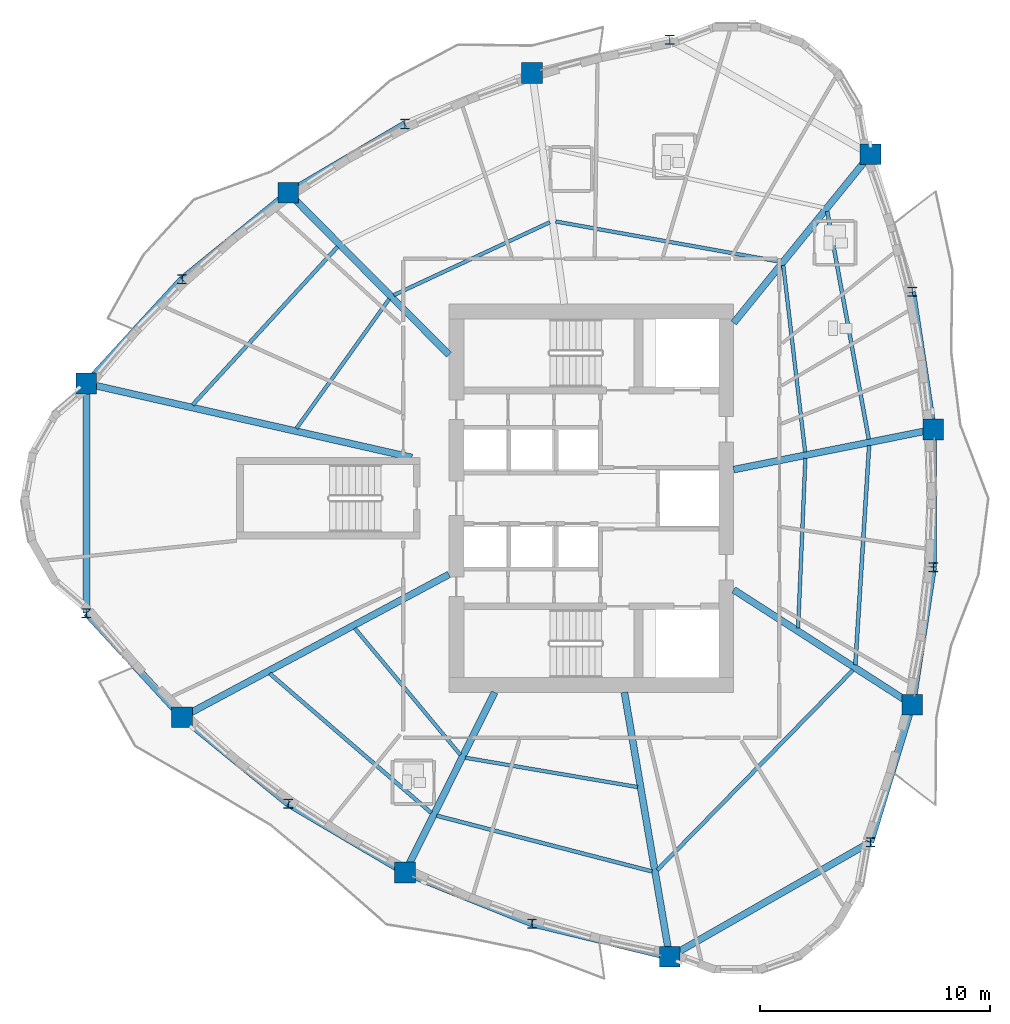
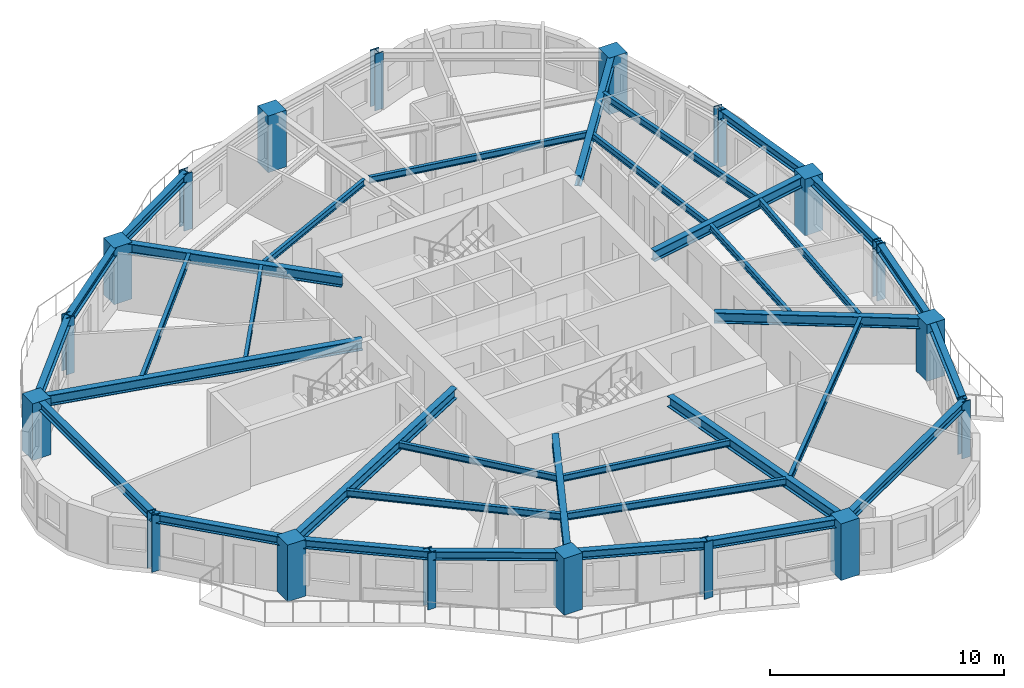
# One storey, part 1 of 12: 35 beams, 18 columns.
"""IFC4 building model written with IfcOpenShell, lengths in metres."""

from ifc_helpers import new_model, si_unit, direction, frame, origin, origin_2d, place, context, subcontext, project, spatial, rectangle, i_section, extrude, source, transform, mapped, material, material_profile, profile_set, type_object, element, save


model = new_model("IFC4")

# Units and contexts
model_context = context("Model", 3, precision=1e-05, world=origin(), true_north=direction((0.0, 1.0)))
body_context = subcontext(model_context, "Body", "Model", "MODEL_VIEW")
ifc_project = project(units=[si_unit("LENGTHUNIT", "METRE"), si_unit("AREAUNIT", "SQUARE_METRE"), si_unit("VOLUMEUNIT", "CUBIC_METRE"), si_unit("PLANEANGLEUNIT", "RADIAN"), si_unit("MASSUNIT", "GRAM", prefix="KILO")], contexts=[model_context])

# Site, building, storey
site_placement = place(None, origin())
site = spatial("IfcSite", under=ifc_project, at=site_placement, CompositionType="ELEMENT")
building_placement = place(site_placement, origin())
building = spatial("IfcBuilding", under=site, at=building_placement, Name="Qafzar Sky-Pleat Residences", CompositionType="ELEMENT")
storey_placement = place(building_placement, frame((0.0, 0.0, 96.0)))
storey = spatial("IfcBuildingStorey", under=building, at=storey_placement, Name="L28", CompositionType="ELEMENT", Elevation=96.0)

# Columns
ifc_material_1 = material(Name="Concrete C60/75", Category="concrete")
ifc_material_profile_1 = material_profile(ifc_material_1, rectangle(XDim=0.89990234375, YDim=0.89990234375, at=origin_2d()), Name="RC 900x900")
ifc_profile_set_1 = profile_set([ifc_material_profile_1], Name="Concrete C60/75")
column_type_1 = type_object("IfcColumnType", Name="COL-RC-900", PredefinedType="COLUMN", material=ifc_profile_set_1)
shared_shape_1 = source(origin(), body_context, "Body", "SweptSolid", [
    extrude(rectangle(XDim=0.89990234375, YDim=0.89990234375, at=origin_2d()), origin(), (0.0, 0.0, 1.0), 2.949951171875),
])
for number, where, z_axis, x_axis, name in (
    (1, (8.364990234375, 30.996337890625, 0.0), (0.0, 0.0, 1.0), (1.0, 0.0, 0.0), "L28 Perimeter Mega Column 1"),
    (2, (12.53369140625, 16.46533203125, 0.0), (0.0, 0.0, 1.0), (1.0, 0.0, 0.0), "L28 Perimeter Mega Column 3"),
    (3, (22.236328125, 9.705078125, 0.0), (0.0, 0.0, 1.0), (1.0, 0.0, 0.0), "L28 Perimeter Mega Column 5"),
    (4, (33.759521484375, 6.032470703125, 0.0), (0.0, 0.0, 1.0), (1.0, 0.0, 0.0), "L28 Perimeter Mega Column 7"),
    (5, (44.325439453125, 17.017333984375, 0.0), (0.0, 0.0, 1.0), (1.0, 0.0, 0.0), "L28 Perimeter Mega Column 9"),
    (6, (45.235595703125, 28.994140625, 0.0), (0.0, 0.0, 1.0), (1.0, 0.0, 0.0), "L28 Perimeter Mega Column 11"),
    (7, (42.5048828125, 40.97119140625, 0.0), (0.0, 0.0, 1.0), (1.0, 0.0, 0.0), "L28 Perimeter Mega Column 13"),
    (8, (27.770263671875, 44.517333984375, 0.0), (0.0, 0.0, 1.0), (1.0, 0.0, 0.0), "L28 Perimeter Mega Column 15"),
    (9, (17.157470703125, 39.30078125, 0.0), (0.0, 0.0, 1.0), (1.0, 0.0, 0.0), "L28 Perimeter Mega Column 17"),
):
    element("IfcColumn", number, at=place(storey_placement, frame(where, z_axis=z_axis, x_axis=x_axis)), inside=storey, type_object=column_type_1, Name=name, PredefinedType="COLUMN", context=body_context, shape_type="MappedRepresentation", body=[
        mapped(shared_shape_1, transform((0.0, 0.0, 0.0), x_axis=(1.0, 0.0, 0.0), y_axis=(0.0, 1.0, 0.0), z_axis=(0.0, 0.0, 1.0), scale=1.0)),
    ])
ifc_material_2 = material(Name="Steel S460", Category="steel")
ifc_material_profile_2 = material_profile(ifc_material_2, i_section(OverallWidth=0.406005859375, OverallDepth=0.416015625, WebThickness=0.027099609375, FlangeThickness=0.0439453125, FilletRadius=0.014892578125, at=origin_2d()), Name="HD 400x382")
ifc_profile_set_2 = profile_set([ifc_material_profile_2], Name="Steel S460")
column_type_2 = type_object("IfcColumnType", Name="COL-STL-HD382", PredefinedType="PILASTER", material=ifc_profile_set_2)
shared_shape_2 = source(origin(), body_context, "Body", "SweptSolid", [
    extrude(i_section(OverallWidth=0.406005859375, OverallDepth=0.416015625, WebThickness=0.027099609375, FlangeThickness=0.0439453125, FilletRadius=0.014892578125, at=origin_2d()), origin(), (0.0, 0.0, 1.0), 2.949951171875),
])
for number, where, z_axis, x_axis, name in (
    (10, (8.364990234375, 21.003662109375, 0.0), (0.0, 0.0, 1.0), (1.0, 0.0, 0.0), "L28 Perimeter Mega Column 2"),
    (11, (17.157470703125, 12.69921875, 0.0), (0.0, 0.0, 1.0), (1.0, 0.0, 0.0), "L28 Perimeter Mega Column 4"),
    (12, (27.770263671875, 7.482666015625, 0.0), (0.0, 0.0, 1.0), (1.0, 0.0, 0.0), "L28 Perimeter Mega Column 6"),
    (13, (42.5048828125, 11.02880859375, 0.0), (0.0, 0.0, 1.0), (1.0, 0.0, 0.0), "L28 Perimeter Mega Column 8"),
    (14, (45.235595703125, 23.005859375, 0.0), (0.0, 0.0, 1.0), (1.0, 0.0, 0.0), "L28 Perimeter Mega Column 10"),
    (15, (44.325439453125, 34.982666015625, 0.0), (0.0, 0.0, 1.0), (1.0, 0.0, 0.0), "L28 Perimeter Mega Column 12"),
    (16, (33.759521484375, 45.967529296875, 0.0), (0.0, 0.0, 1.0), (1.0, 0.0, 0.0), "L28 Perimeter Mega Column 14"),
    (17, (22.236328125, 42.294921875, 0.0), (0.0, 0.0, 1.0), (1.0, 0.0, 0.0), "L28 Perimeter Mega Column 16"),
    (18, (12.53369140625, 35.53466796875, 0.0), (0.0, 0.0, 1.0), (1.0, 0.0, 0.0), "L28 Perimeter Mega Column 18"),
):
    element("IfcColumn", number, at=place(storey_placement, frame(where, z_axis=z_axis, x_axis=x_axis)), inside=storey, type_object=column_type_2, Name=name, PredefinedType="PILASTER", context=body_context, shape_type="MappedRepresentation", body=[
        mapped(shared_shape_2, transform((0.0, 0.0, 0.0), x_axis=(1.0, 0.0, 0.0), y_axis=(0.0, 1.0, 0.0), z_axis=(0.0, 0.0, 1.0), scale=1.0)),
    ])

# Beams
ifc_material_3 = material(Name="Steel S355", Category="steel")
ifc_material_profile_3 = material_profile(ifc_material_3, i_section(OverallWidth=0.300048828125, OverallDepth=0.449951171875, WebThickness=0.013916015625, FlangeThickness=0.02587890625, FilletRadius=0.027099609375, at=origin_2d()), Name="HEB 450")
ifc_profile_set_3 = profile_set([ifc_material_profile_3], Name="Steel S355")
beam_type_1 = type_object("IfcBeamType", Name="BM-SPAN-HEB450", PredefinedType="SPANDREL", material=ifc_profile_set_3)
shared_shape_3 = source(origin(), body_context, "Body", "SweptSolid", [
    extrude(i_section(OverallWidth=0.300048828125, OverallDepth=0.449951171875, WebThickness=0.013916015625, FlangeThickness=0.02587890625, FilletRadius=0.027099609375, at=origin_2d()), origin(), (0.0, 0.0, 1.0), 10.072021484375),
])
beam_1_placement = place(storey_placement, frame((33.759521484375, 6.032470703125, 2.722900390625), z_axis=(0.868286397172, 0.496063234363, 0.0), x_axis=(-0.496063234363, 0.868286397172, 0.0)))
element("IfcBeam", 19, at=beam_1_placement, inside=storey, type_object=beam_type_1, Name="L28 Perimeter Spandrel Beam 7", PredefinedType="SPANDREL", context=body_context, shape_type="MappedRepresentation", body=[
    mapped(shared_shape_3, transform((0.0, 0.0, 0.0), x_axis=(1.0, 0.0, 0.0), y_axis=(0.0, 1.0, 0.0), z_axis=(0.0, 0.0, 1.0), scale=1.0)),
])
shared_shape_4 = source(origin(), body_context, "Body", "SweptSolid", [
    extrude(i_section(OverallWidth=0.300048828125, OverallDepth=0.449951171875, WebThickness=0.013916015625, FlangeThickness=0.02587890625, FilletRadius=0.027099609375, at=origin_2d()), origin(), (0.0, 0.0, 1.0), 9.99267578125),
])
beam_2_placement = place(storey_placement, frame((8.364990234375, 30.996337890625, 2.722900390625), z_axis=(0.0, -1.0, 0.0), x_axis=(1.0, 0.0, 0.0)))
element("IfcBeam", 20, at=beam_2_placement, inside=storey, type_object=beam_type_1, Name="L28 Perimeter Spandrel Beam 1", PredefinedType="SPANDREL", context=body_context, shape_type="MappedRepresentation", body=[
    mapped(shared_shape_4, transform((0.0, 0.0, 0.0), x_axis=(1.0, 0.0, 0.0), y_axis=(0.0, 1.0, 0.0), z_axis=(0.0, 0.0, 1.0), scale=1.0)),
])
shared_shape_5 = source(origin(), body_context, "Body", "SweptSolid", [
    extrude(i_section(OverallWidth=0.300048828125, OverallDepth=0.449951171875, WebThickness=0.013916015625, FlangeThickness=0.02587890625, FilletRadius=0.027099609375, at=origin_2d()), origin(), (0.0, 0.0, 1.0), 6.162353515625),
])
for number, where, z_axis, x_axis, name in (
    (21, (8.364990234375, 21.003662109375, 2.722900390625), (0.676479559829, -0.736461407769, 0.0), (0.736461407769, 0.676479559829, 0.0), "L28 Perimeter Spandrel Beam 2"),
    (22, (27.770263671875, 7.482666015625, 2.722900390625), (0.971914942444, -0.235332413098, 0.0), (0.235332413098, 0.971914942444, 0.0), "L28 Perimeter Spandrel Beam 6"),
    (23, (12.53369140625, 35.53466796875, 2.722900390625), (-0.676479559829, -0.736461407769, 0.0), (0.736461407769, -0.676479559829, 0.0), "L28 Perimeter Spandrel Beam 18"),
):
    element("IfcBeam", number, at=place(storey_placement, frame(where, z_axis=z_axis, x_axis=x_axis)), inside=storey, type_object=beam_type_1, Name=name, PredefinedType="SPANDREL", context=body_context, shape_type="MappedRepresentation", body=[
        mapped(shared_shape_5, transform((0.0, 0.0, 0.0), x_axis=(1.0, 0.0, 0.0), y_axis=(0.0, 1.0, 0.0), z_axis=(0.0, 0.0, 1.0), scale=1.0)),
    ])
shared_shape_6 = source(origin(), body_context, "Body", "SweptSolid", [
    extrude(i_section(OverallWidth=0.300048828125, OverallDepth=0.449951171875, WebThickness=0.013916015625, FlangeThickness=0.02587890625, FilletRadius=0.027099609375, at=origin_2d()), origin(), (0.0, 0.0, 1.0), 5.96337890625),
])
for number, where, z_axis, x_axis, name in (
    (24, (12.53369140625, 16.46533203125, 2.722900390625), (0.775350804249, -0.631530783375, 0.0), (0.631530783375, 0.775350804249, 0.0), "L28 Perimeter Spandrel Beam 3"),
    (25, (17.157470703125, 39.30078125, 2.722900390625), (-0.775350804249, -0.631530783375, 0.0), (0.631530783375, -0.775350804249, 0.0), "L28 Perimeter Spandrel Beam 17"),
):
    element("IfcBeam", number, at=place(storey_placement, frame(where, z_axis=z_axis, x_axis=x_axis)), inside=storey, type_object=beam_type_1, Name=name, PredefinedType="SPANDREL", context=body_context, shape_type="MappedRepresentation", body=[
        mapped(shared_shape_6, transform((0.0, 0.0, 0.0), x_axis=(1.0, 0.0, 0.0), y_axis=(0.0, 1.0, 0.0), z_axis=(0.0, 0.0, 1.0), scale=1.0)),
    ])
shared_shape_7 = source(origin(), body_context, "Body", "SweptSolid", [
    extrude(i_section(OverallWidth=0.300048828125, OverallDepth=0.449951171875, WebThickness=0.013916015625, FlangeThickness=0.02587890625, FilletRadius=0.027099609375, at=origin_2d()), origin(), (0.0, 0.0, 1.0), 5.895751953125),
])
for number, where, z_axis, x_axis, name in (
    (26, (17.157470703125, 12.69921875, 2.722900390625), (0.861446267845, -0.507848725129, 0.0), (0.507848725129, 0.861446267845, 0.0), "L28 Perimeter Spandrel Beam 4"),
    (27, (22.236328125, 42.294921875, 2.722900390625), (-0.861446267845, -0.507848725129, 0.0), (0.507848725129, -0.861446267845, 0.0), "L28 Perimeter Spandrel Beam 16"),
):
    element("IfcBeam", number, at=place(storey_placement, frame(where, z_axis=z_axis, x_axis=x_axis)), inside=storey, type_object=beam_type_1, Name=name, PredefinedType="SPANDREL", context=body_context, shape_type="MappedRepresentation", body=[
        mapped(shared_shape_7, transform((0.0, 0.0, 0.0), x_axis=(1.0, 0.0, 0.0), y_axis=(0.0, 1.0, 0.0), z_axis=(0.0, 0.0, 1.0), scale=1.0)),
    ])
shared_shape_8 = source(origin(), body_context, "Body", "SweptSolid", [
    extrude(i_section(OverallWidth=0.300048828125, OverallDepth=0.449951171875, WebThickness=0.013916015625, FlangeThickness=0.02587890625, FilletRadius=0.027099609375, at=origin_2d()), origin(), (0.0, 0.0, 1.0), 5.963623046875),
])
beam_3_placement = place(storey_placement, frame((22.236328125, 9.705078125, 2.722900390625), z_axis=(0.92796478, -0.372667904546, 0.0), x_axis=(0.372667904546, 0.92796478, 0.0)))
element("IfcBeam", 28, at=beam_3_placement, inside=storey, type_object=beam_type_1, Name="L28 Perimeter Spandrel Beam 5", PredefinedType="SPANDREL", context=body_context, shape_type="MappedRepresentation", body=[
    mapped(shared_shape_8, transform((0.0, 0.0, 0.0), x_axis=(1.0, 0.0, 0.0), y_axis=(0.0, 1.0, 0.0), z_axis=(0.0, 0.0, 1.0), scale=1.0)),
])
shared_shape_9 = source(origin(), body_context, "Body", "SweptSolid", [
    extrude(i_section(OverallWidth=0.300048828125, OverallDepth=0.449951171875, WebThickness=0.013916015625, FlangeThickness=0.02587890625, FilletRadius=0.027099609375, at=origin_2d()), origin(), (0.0, 0.0, 1.0), 6.259033203125),
])
beam_4_placement = place(storey_placement, frame((42.5048828125, 11.02880859375, 2.722900390625), z_axis=(0.290863594667, 0.956764531793, 0.0), x_axis=(-0.956764531793, 0.290863594667, 0.0)))
element("IfcBeam", 29, at=beam_4_placement, inside=storey, type_object=beam_type_1, Name="L28 Perimeter Spandrel Beam 8", PredefinedType="SPANDREL", context=body_context, shape_type="MappedRepresentation", body=[
    mapped(shared_shape_9, transform((0.0, 0.0, 0.0), x_axis=(1.0, 0.0, 0.0), y_axis=(0.0, 1.0, 0.0), z_axis=(0.0, 0.0, 1.0), scale=1.0)),
])
shared_shape_10 = source(origin(), body_context, "Body", "SweptSolid", [
    extrude(i_section(OverallWidth=0.300048828125, OverallDepth=0.449951171875, WebThickness=0.013916015625, FlangeThickness=0.02587890625, FilletRadius=0.027099609375, at=origin_2d()), origin(), (0.0, 0.0, 1.0), 6.057373046875),
])
for number, where, z_axis, x_axis, name in (
    (30, (44.325439453125, 17.017333984375, 2.722900390625), (0.150257874902, 0.988646838376, 0.0), (-0.988646838376, 0.150257874902, 0.0), "L28 Perimeter Spandrel Beam 9"),
    (31, (45.235595703125, 28.994140625, 2.722900390625), (-0.150257874902, 0.988646838376, 0.0), (-0.988646838376, -0.150257874902, 0.0), "L28 Perimeter Spandrel Beam 11"),
):
    element("IfcBeam", number, at=place(storey_placement, frame(where, z_axis=z_axis, x_axis=x_axis)), inside=storey, type_object=beam_type_1, Name=name, PredefinedType="SPANDREL", context=body_context, shape_type="MappedRepresentation", body=[
        mapped(shared_shape_10, transform((0.0, 0.0, 0.0), x_axis=(1.0, 0.0, 0.0), y_axis=(0.0, 1.0, 0.0), z_axis=(0.0, 0.0, 1.0), scale=1.0)),
    ])
shared_shape_11 = source(origin(), body_context, "Body", "SweptSolid", [
    extrude(i_section(OverallWidth=0.300048828125, OverallDepth=0.449951171875, WebThickness=0.013916015625, FlangeThickness=0.02587890625, FilletRadius=0.027099609375, at=origin_2d()), origin(), (0.0, 0.0, 1.0), 5.98828125),
])
beam_5_placement = place(storey_placement, frame((45.235595703125, 23.005859375, 2.722900390625), z_axis=(0.0, 1.0, 0.0), x_axis=(-1.0, 0.0, 0.0)))
element("IfcBeam", 32, at=beam_5_placement, inside=storey, type_object=beam_type_1, Name="L28 Perimeter Spandrel Beam 10", PredefinedType="SPANDREL", context=body_context, shape_type="MappedRepresentation", body=[
    mapped(shared_shape_11, transform((0.0, 0.0, 0.0), x_axis=(1.0, 0.0, 0.0), y_axis=(0.0, 1.0, 0.0), z_axis=(0.0, 0.0, 1.0), scale=1.0)),
])
ifc_material_profile_4 = material_profile(ifc_material_3, i_section(OverallWidth=0.300048828125, OverallDepth=0.550048828125, WebThickness=0.014892578125, FlangeThickness=0.029052734375, FilletRadius=0.027099609375, at=origin_2d()), Name="HEB 550")
ifc_profile_set_4 = profile_set([ifc_material_profile_4], Name="Steel S355")
beam_type_2 = type_object("IfcBeamType", Name="BM-GIRD-HEB550", PredefinedType="BEAM", material=ifc_profile_set_4)
shared_shape_12 = source(origin(), body_context, "Body", "SweptSolid", [
    extrude(i_section(OverallWidth=0.300048828125, OverallDepth=0.550048828125, WebThickness=0.014892578125, FlangeThickness=0.029052734375, FilletRadius=0.027099609375, at=origin_2d()), origin(), (0.0, 0.0, 1.0), 14.536376953125),
])
beam_6_placement = place(storey_placement, frame((8.364990234375, 30.996337890625, 2.673095703125), z_axis=(0.975134505596, -0.221613844322, 0.0), x_axis=(0.221613844322, 0.975134505596, 0.0)))
element("IfcBeam", 33, at=beam_6_placement, inside=storey, type_object=beam_type_2, Name="L28 Radial Floor Girder 1", PredefinedType="BEAM", context=body_context, shape_type="MappedRepresentation", body=[
    mapped(shared_shape_12, transform((0.0, 0.0, 0.0), x_axis=(1.0, 0.0, 0.0), y_axis=(0.0, 1.0, 0.0), z_axis=(0.0, 0.0, 1.0), scale=1.0)),
])
shared_shape_13 = source(origin(), body_context, "Body", "SweptSolid", [
    extrude(i_section(OverallWidth=0.300048828125, OverallDepth=0.550048828125, WebThickness=0.014892578125, FlangeThickness=0.029052734375, FilletRadius=0.027099609375, at=origin_2d()), origin(), (0.0, 0.0, 1.0), 13.175048828125),
])
beam_7_placement = place(storey_placement, frame((12.53369140625, 16.46533203125, 2.673095703125), z_axis=(0.881682641065, 0.471842898055, 0.0), x_axis=(-0.471842898055, 0.881682641065, 0.0)))
element("IfcBeam", 34, at=beam_7_placement, inside=storey, type_object=beam_type_2, Name="L28 Radial Floor Girder 3", PredefinedType="BEAM", context=body_context, shape_type="MappedRepresentation", body=[
    mapped(shared_shape_13, transform((0.0, 0.0, 0.0), x_axis=(1.0, 0.0, 0.0), y_axis=(0.0, 1.0, 0.0), z_axis=(0.0, 0.0, 1.0), scale=1.0)),
])
shared_shape_14 = source(origin(), body_context, "Body", "SweptSolid", [
    extrude(i_section(OverallWidth=0.300048828125, OverallDepth=0.550048828125, WebThickness=0.014892578125, FlangeThickness=0.029052734375, FilletRadius=0.027099609375, at=origin_2d()), origin(), (0.0, 0.0, 1.0), 8.763671875),
])
beam_8_placement = place(storey_placement, frame((22.236328125, 9.705078125, 2.673095703125), z_axis=(0.445730926233, 0.89516699079, 0.0), x_axis=(-0.89516699079, 0.445730926233, 0.0)))
element("IfcBeam", 35, at=beam_8_placement, inside=storey, type_object=beam_type_2, Name="L28 Radial Floor Girder 5", PredefinedType="BEAM", context=body_context, shape_type="MappedRepresentation", body=[
    mapped(shared_shape_14, transform((0.0, 0.0, 0.0), x_axis=(1.0, 0.0, 0.0), y_axis=(0.0, 1.0, 0.0), z_axis=(0.0, 0.0, 1.0), scale=1.0)),
])
shared_shape_15 = source(origin(), body_context, "Body", "SweptSolid", [
    extrude(i_section(OverallWidth=0.300048828125, OverallDepth=0.550048828125, WebThickness=0.014892578125, FlangeThickness=0.029052734375, FilletRadius=0.027099609375, at=origin_2d()), origin(), (0.0, 0.0, 1.0), 11.684326171875),
])
beam_9_placement = place(storey_placement, frame((33.759521484375, 6.032470703125, 2.673095703125), z_axis=(-0.168328155198, 0.985731014105, 0.0), x_axis=(-0.985731014105, -0.168328155198, 0.0)))
element("IfcBeam", 36, at=beam_9_placement, inside=storey, type_object=beam_type_2, Name="L28 Radial Floor Girder 7", PredefinedType="BEAM", context=body_context, shape_type="MappedRepresentation", body=[
    mapped(shared_shape_15, transform((0.0, 0.0, 0.0), x_axis=(1.0, 0.0, 0.0), y_axis=(0.0, 1.0, 0.0), z_axis=(0.0, 0.0, 1.0), scale=1.0)),
])
shared_shape_16 = source(origin(), body_context, "Body", "SweptSolid", [
    extrude(i_section(OverallWidth=0.300048828125, OverallDepth=0.550048828125, WebThickness=0.014892578125, FlangeThickness=0.029052734375, FilletRadius=0.027099609375, at=origin_2d()), origin(), (0.0, 0.0, 1.0), 9.242919921875),
])
beam_10_placement = place(storey_placement, frame((44.325439453125, 17.017333984375, 2.673095703125), z_axis=(-0.841223099247, 0.540688170107, 0.0), x_axis=(-0.540688170107, -0.841223099247, 0.0)))
element("IfcBeam", 37, at=beam_10_placement, inside=storey, type_object=beam_type_2, Name="L28 Radial Floor Girder 9", PredefinedType="BEAM", context=body_context, shape_type="MappedRepresentation", body=[
    mapped(shared_shape_16, transform((0.0, 0.0, 0.0), x_axis=(1.0, 0.0, 0.0), y_axis=(0.0, 1.0, 0.0), z_axis=(0.0, 0.0, 1.0), scale=1.0)),
])
shared_shape_17 = source(origin(), body_context, "Body", "SweptSolid", [
    extrude(i_section(OverallWidth=0.300048828125, OverallDepth=0.550048828125, WebThickness=0.014892578125, FlangeThickness=0.029052734375, FilletRadius=0.027099609375, at=origin_2d()), origin(), (0.0, 0.0, 1.0), 8.859619140625),
])
beam_11_placement = place(storey_placement, frame((45.235595703125, 28.994140625, 2.673095703125), z_axis=(-0.980363864167, -0.197197093883, 0.0), x_axis=(0.197197093883, -0.980363864167, 0.0)))
element("IfcBeam", 38, at=beam_11_placement, inside=storey, type_object=beam_type_2, Name="L28 Radial Floor Girder 11", PredefinedType="BEAM", context=body_context, shape_type="MappedRepresentation", body=[
    mapped(shared_shape_17, transform((0.0, 0.0, 0.0), x_axis=(1.0, 0.0, 0.0), y_axis=(0.0, 1.0, 0.0), z_axis=(0.0, 0.0, 1.0), scale=1.0)),
])
shared_shape_18 = source(origin(), body_context, "Body", "SweptSolid", [
    extrude(i_section(OverallWidth=0.300048828125, OverallDepth=0.550048828125, WebThickness=0.014892578125, FlangeThickness=0.029052734375, FilletRadius=0.027099609375, at=origin_2d()), origin(), (0.0, 0.0, 1.0), 9.44775390625),
])
beam_12_placement = place(storey_placement, frame((42.5048828125, 40.97119140625, 2.673095703125), z_axis=(-0.63029780514, -0.776353448396, 0.0), x_axis=(0.776353448396, -0.63029780514, 0.0)))
element("IfcBeam", 39, at=beam_12_placement, inside=storey, type_object=beam_type_2, Name="L28 Radial Floor Girder 13", PredefinedType="BEAM", context=body_context, shape_type="MappedRepresentation", body=[
    mapped(shared_shape_18, transform((0.0, 0.0, 0.0), x_axis=(1.0, 0.0, 0.0), y_axis=(0.0, 1.0, 0.0), z_axis=(0.0, 0.0, 1.0), scale=1.0)),
])
shared_shape_19 = source(origin(), body_context, "Body", "SweptSolid", [
    extrude(i_section(OverallWidth=0.300048828125, OverallDepth=0.550048828125, WebThickness=0.014892578125, FlangeThickness=0.029052734375, FilletRadius=0.027099609375, at=origin_2d()), origin(), (0.0, 0.0, 1.0), 9.9296875),
])
beam_13_placement = place(storey_placement, frame((17.157470703125, 39.30078125, 2.673095703125), z_axis=(0.70419954962, -0.710002108669, 0.0), x_axis=(0.710002108669, 0.70419954962, 0.0)))
element("IfcBeam", 40, at=beam_13_placement, inside=storey, type_object=beam_type_2, Name="L28 Radial Floor Girder 17", PredefinedType="BEAM", context=body_context, shape_type="MappedRepresentation", body=[
    mapped(shared_shape_19, transform((0.0, 0.0, 0.0), x_axis=(1.0, 0.0, 0.0), y_axis=(0.0, 1.0, 0.0), z_axis=(0.0, 0.0, 1.0), scale=1.0)),
])
ifc_material_profile_5 = material_profile(ifc_material_3, i_section(OverallWidth=0.169921875, OverallDepth=0.360107421875, WebThickness=0.008056640625, FlangeThickness=0.0126953125, FilletRadius=0.01806640625, at=origin_2d()), Name="IPE 360")
ifc_profile_set_5 = profile_set([ifc_material_profile_5], Name="Steel S355")
beam_type_3 = type_object("IfcBeamType", Name="BM-JST-IPE360", PredefinedType="JOIST", material=ifc_profile_set_5)
shared_shape_20 = source(origin(), body_context, "Body", "SweptSolid", [
    extrude(i_section(OverallWidth=0.169921875, OverallDepth=0.360107421875, WebThickness=0.008056640625, FlangeThickness=0.0126953125, FilletRadius=0.01806640625, at=origin_2d()), origin(), (0.0, 0.0, 1.0), 9.2841796875),
])
beam_14_placement = place(storey_placement, frame((16.35302734375, 18.36669921875, 2.76806640625), z_axis=(0.757315332582, -0.65304937565, 0.0), x_axis=(0.65304937565, 0.757315332582, 0.0)))
element("IfcBeam", 41, at=beam_14_placement, inside=storey, type_object=beam_type_3, Name="L28 Outer Secondary Floor Joist 2", PredefinedType="JOIST", context=body_context, shape_type="MappedRepresentation", body=[
    mapped(shared_shape_20, transform((0.0, 0.0, 0.0), x_axis=(1.0, 0.0, 0.0), y_axis=(0.0, 1.0, 0.0), z_axis=(0.0, 0.0, 1.0), scale=1.0)),
])
shared_shape_21 = source(origin(), body_context, "Body", "SweptSolid", [
    extrude(i_section(OverallWidth=0.169921875, OverallDepth=0.360107421875, WebThickness=0.008056640625, FlangeThickness=0.0126953125, FilletRadius=0.01806640625, at=origin_2d()), origin(), (0.0, 0.0, 1.0), 9.692138671875),
])
beam_15_placement = place(storey_placement, frame((23.616943359375, 12.181640625, 2.76806640625), z_axis=(0.968067798789, -0.250688525762, 0.0), x_axis=(0.250688525762, 0.968067798789, 0.0)))
element("IfcBeam", 42, at=beam_15_placement, inside=storey, type_object=beam_type_3, Name="L28 Outer Secondary Floor Joist 3", PredefinedType="JOIST", context=body_context, shape_type="MappedRepresentation", body=[
    mapped(shared_shape_21, transform((0.0, 0.0, 0.0), x_axis=(1.0, 0.0, 0.0), y_axis=(0.0, 1.0, 0.0), z_axis=(0.0, 0.0, 1.0), scale=1.0)),
])
shared_shape_22 = source(origin(), body_context, "Body", "SweptSolid", [
    extrude(i_section(OverallWidth=0.169921875, OverallDepth=0.360107421875, WebThickness=0.008056640625, FlangeThickness=0.0126953125, FilletRadius=0.01806640625, at=origin_2d()), origin(), (0.0, 0.0, 1.0), 12.1796875),
])
beam_16_placement = place(storey_placement, frame((33.224609375, 9.814697265625, 2.76806640625), z_axis=(0.699387892568, 0.714742314215, 0.0), x_axis=(-0.714742314215, 0.699387892568, 0.0)))
element("IfcBeam", 43, at=beam_16_placement, inside=storey, type_object=beam_type_3, Name="L28 Outer Secondary Floor Joist 4", PredefinedType="JOIST", context=body_context, shape_type="MappedRepresentation", body=[
    mapped(shared_shape_22, transform((0.0, 0.0, 0.0), x_axis=(1.0, 0.0, 0.0), y_axis=(0.0, 1.0, 0.0), z_axis=(0.0, 0.0, 1.0), scale=1.0)),
])
shared_shape_23 = source(origin(), body_context, "Body", "SweptSolid", [
    extrude(i_section(OverallWidth=0.169921875, OverallDepth=0.360107421875, WebThickness=0.008056640625, FlangeThickness=0.0126953125, FilletRadius=0.01806640625, at=origin_2d()), origin(), (0.0, 0.0, 1.0), 9.568115234375),
])
beam_17_placement = place(storey_placement, frame((41.845703125, 18.751220703125, 2.76806640625), z_axis=(0.06292315375, 0.998018374942, 0.0), x_axis=(-0.998018374942, 0.06292315375, 0.0)))
element("IfcBeam", 44, at=beam_17_placement, inside=storey, type_object=beam_type_3, Name="L28 Outer Secondary Floor Joist 5", PredefinedType="JOIST", context=body_context, shape_type="MappedRepresentation", body=[
    mapped(shared_shape_23, transform((0.0, 0.0, 0.0), x_axis=(1.0, 0.0, 0.0), y_axis=(0.0, 1.0, 0.0), z_axis=(0.0, 0.0, 1.0), scale=1.0)),
])
shared_shape_24 = source(origin(), body_context, "Body", "SweptSolid", [
    extrude(i_section(OverallWidth=0.169921875, OverallDepth=0.360107421875, WebThickness=0.008056640625, FlangeThickness=0.0126953125, FilletRadius=0.01806640625, at=origin_2d()), origin(), (0.0, 0.0, 1.0), 10.0869140625),
])
beam_18_placement = place(storey_placement, frame((42.43212890625, 28.56787109375, 2.76806640625), z_axis=(-0.179302891897, 0.983793917931, 0.0), x_axis=(-0.983793917931, -0.179302891897, 0.0)))
element("IfcBeam", 45, at=beam_18_placement, inside=storey, type_object=beam_type_3, Name="L28 Outer Secondary Floor Joist 6", PredefinedType="JOIST", context=body_context, shape_type="MappedRepresentation", body=[
    mapped(shared_shape_24, transform((0.0, 0.0, 0.0), x_axis=(1.0, 0.0, 0.0), y_axis=(0.0, 1.0, 0.0), z_axis=(0.0, 0.0, 1.0), scale=1.0)),
])
shared_shape_25 = source(origin(), body_context, "Body", "SweptSolid", [
    extrude(i_section(OverallWidth=0.169921875, OverallDepth=0.360107421875, WebThickness=0.008056640625, FlangeThickness=0.0126953125, FilletRadius=0.01806640625, at=origin_2d()), origin(), (0.0, 0.0, 1.0), 9.336669921875),
])
beam_19_placement = place(storey_placement, frame((19.3037109375, 36.9453125, 2.76806640625), z_axis=(-0.675987450596, -0.736913133711, 0.0), x_axis=(0.736913133711, -0.675987450596, 0.0)))
element("IfcBeam", 46, at=beam_19_placement, inside=storey, type_object=beam_type_3, Name="L28 Outer Secondary Floor Joist 9", PredefinedType="JOIST", context=body_context, shape_type="MappedRepresentation", body=[
    mapped(shared_shape_25, transform((0.0, 0.0, 0.0), x_axis=(1.0, 0.0, 0.0), y_axis=(0.0, 1.0, 0.0), z_axis=(0.0, 0.0, 1.0), scale=1.0)),
])
ifc_material_profile_6 = material_profile(ifc_material_3, i_section(OverallWidth=0.159912109375, OverallDepth=0.330078125, WebThickness=0.007568359375, FlangeThickness=0.011474609375, FilletRadius=0.01806640625, at=origin_2d()), Name="IPE 330")
ifc_profile_set_6 = profile_set([ifc_material_profile_6], Name="Steel S355")
beam_type_4 = type_object("IfcBeamType", Name="BM-JST-IPE330", PredefinedType="JOIST", material=ifc_profile_set_6)
shared_shape_26 = source(origin(), body_context, "Body", "SweptSolid", [
    extrude(i_section(OverallWidth=0.159912109375, OverallDepth=0.330078125, WebThickness=0.007568359375, FlangeThickness=0.011474609375, FilletRadius=0.01806640625, at=origin_2d()), origin(), (0.0, 0.0, 1.0), 7.17529296875),
])
beam_20_placement = place(storey_placement, frame((20.0546875, 20.34033203125, 2.782958984375), z_axis=(0.640425334659, -0.7680204364, 0.0), x_axis=(0.7680204364, 0.640425334659, 0.0)))
element("IfcBeam", 47, at=beam_20_placement, inside=storey, type_object=beam_type_4, Name="L28 Inner Secondary Floor Joist 2", PredefinedType="JOIST", context=body_context, shape_type="MappedRepresentation", body=[
    mapped(shared_shape_26, transform((0.0, 0.0, 0.0), x_axis=(1.0, 0.0, 0.0), y_axis=(0.0, 1.0, 0.0), z_axis=(0.0, 0.0, 1.0), scale=1.0)),
])
shared_shape_27 = source(origin(), body_context, "Body", "SweptSolid", [
    extrude(i_section(OverallWidth=0.159912109375, OverallDepth=0.330078125, WebThickness=0.007568359375, FlangeThickness=0.011474609375, FilletRadius=0.01806640625, at=origin_2d()), origin(), (0.0, 0.0, 1.0), 7.606201171875),
])
beam_21_placement = place(storey_placement, frame((24.869384765625, 14.703125, 2.782958984375), z_axis=(0.98581450377, -0.167838506177, 0.0), x_axis=(0.167838506177, 0.98581450377, 0.0)))
element("IfcBeam", 48, at=beam_21_placement, inside=storey, type_object=beam_type_4, Name="L28 Inner Secondary Floor Joist 3", PredefinedType="JOIST", context=body_context, shape_type="MappedRepresentation", body=[
    mapped(shared_shape_27, transform((0.0, 0.0, 0.0), x_axis=(1.0, 0.0, 0.0), y_axis=(0.0, 1.0, 0.0), z_axis=(0.0, 0.0, 1.0), scale=1.0)),
])
shared_shape_28 = source(origin(), body_context, "Body", "SweptSolid", [
    extrude(i_section(OverallWidth=0.159912109375, OverallDepth=0.330078125, WebThickness=0.007568359375, FlangeThickness=0.011474609375, FilletRadius=0.01806640625, at=origin_2d()), origin(), (0.0, 0.0, 1.0), 7.3974609375),
])
beam_22_placement = place(storey_placement, frame((39.35498046875, 20.3505859375, 2.782958984375), z_axis=(0.042739715972, 0.999086240861, 0.0), x_axis=(-0.999086240861, 0.042739715972, 0.0)))
element("IfcBeam", 49, at=beam_22_placement, inside=storey, type_object=beam_type_4, Name="L28 Inner Secondary Floor Joist 5", PredefinedType="JOIST", context=body_context, shape_type="MappedRepresentation", body=[
    mapped(shared_shape_28, transform((0.0, 0.0, 0.0), x_axis=(1.0, 0.0, 0.0), y_axis=(0.0, 1.0, 0.0), z_axis=(0.0, 0.0, 1.0), scale=1.0)),
])
shared_shape_29 = source(origin(), body_context, "Body", "SweptSolid", [
    extrude(i_section(OverallWidth=0.159912109375, OverallDepth=0.330078125, WebThickness=0.007568359375, FlangeThickness=0.011474609375, FilletRadius=0.01806640625, at=origin_2d()), origin(), (0.0, 0.0, 1.0), 8.188232421875),
])
beam_23_placement = place(storey_placement, frame((39.6611328125, 28.010009765625, 2.782958984375), z_axis=(-0.116221911408, 0.993223271631, 0.0), x_axis=(-0.993223271631, -0.116221911408, 0.0)))
element("IfcBeam", 50, at=beam_23_placement, inside=storey, type_object=beam_type_4, Name="L28 Inner Secondary Floor Joist 6", PredefinedType="JOIST", context=body_context, shape_type="MappedRepresentation", body=[
    mapped(shared_shape_29, transform((0.0, 0.0, 0.0), x_axis=(1.0, 0.0, 0.0), y_axis=(0.0, 1.0, 0.0), z_axis=(0.0, 0.0, 1.0), scale=1.0)),
])
shared_shape_30 = source(origin(), body_context, "Body", "SweptSolid", [
    extrude(i_section(OverallWidth=0.159912109375, OverallDepth=0.330078125, WebThickness=0.007568359375, FlangeThickness=0.011474609375, FilletRadius=0.01806640625, at=origin_2d()), origin(), (0.0, 0.0, 1.0), 9.91552734375),
])
beam_24_placement = place(storey_placement, frame((38.560791015625, 36.30078125, 2.782958984375), z_axis=(-0.984311251138, 0.176440814109, 0.0), x_axis=(-0.176440814109, -0.984311251138, 0.0)))
element("IfcBeam", 51, at=beam_24_placement, inside=storey, type_object=beam_type_4, Name="L28 Inner Secondary Floor Joist 7", PredefinedType="JOIST", context=body_context, shape_type="MappedRepresentation", body=[
    mapped(shared_shape_30, transform((0.0, 0.0, 0.0), x_axis=(1.0, 0.0, 0.0), y_axis=(0.0, 1.0, 0.0), z_axis=(0.0, 0.0, 1.0), scale=1.0)),
])
shared_shape_31 = source(origin(), body_context, "Body", "SweptSolid", [
    extrude(i_section(OverallWidth=0.159912109375, OverallDepth=0.330078125, WebThickness=0.007568359375, FlangeThickness=0.011474609375, FilletRadius=0.01806640625, at=origin_2d()), origin(), (0.0, 0.0, 1.0), 7.49462890625),
])
beam_25_placement = place(storey_placement, frame((28.545654296875, 38.01708984375, 2.782958984375), z_axis=(-0.906074923142, -0.423117281204, 0.0), x_axis=(0.423117281204, -0.906074923142, 0.0)))
element("IfcBeam", 52, at=beam_25_placement, inside=storey, type_object=beam_type_4, Name="L28 Inner Secondary Floor Joist 8", PredefinedType="JOIST", context=body_context, shape_type="MappedRepresentation", body=[
    mapped(shared_shape_31, transform((0.0, 0.0, 0.0), x_axis=(1.0, 0.0, 0.0), y_axis=(0.0, 1.0, 0.0), z_axis=(0.0, 0.0, 1.0), scale=1.0)),
])
shared_shape_32 = source(origin(), body_context, "Body", "SweptSolid", [
    extrude(i_section(OverallWidth=0.159912109375, OverallDepth=0.330078125, WebThickness=0.007568359375, FlangeThickness=0.011474609375, FilletRadius=0.01806640625, at=origin_2d()), origin(), (0.0, 0.0, 1.0), 6.9326171875),
])
beam_26_placement = place(storey_placement, frame((21.553955078125, 34.67919921875, 2.782958984375), z_axis=(-0.582549962989, -0.812794894559, 0.0), x_axis=(0.812794894559, -0.582549962989, 0.0)))
element("IfcBeam", 53, at=beam_26_placement, inside=storey, type_object=beam_type_4, Name="L28 Inner Secondary Floor Joist 9", PredefinedType="JOIST", context=body_context, shape_type="MappedRepresentation", body=[
    mapped(shared_shape_32, transform((0.0, 0.0, 0.0), x_axis=(1.0, 0.0, 0.0), y_axis=(0.0, 1.0, 0.0), z_axis=(0.0, 0.0, 1.0), scale=1.0)),
])

save(model, "model.ifc")
